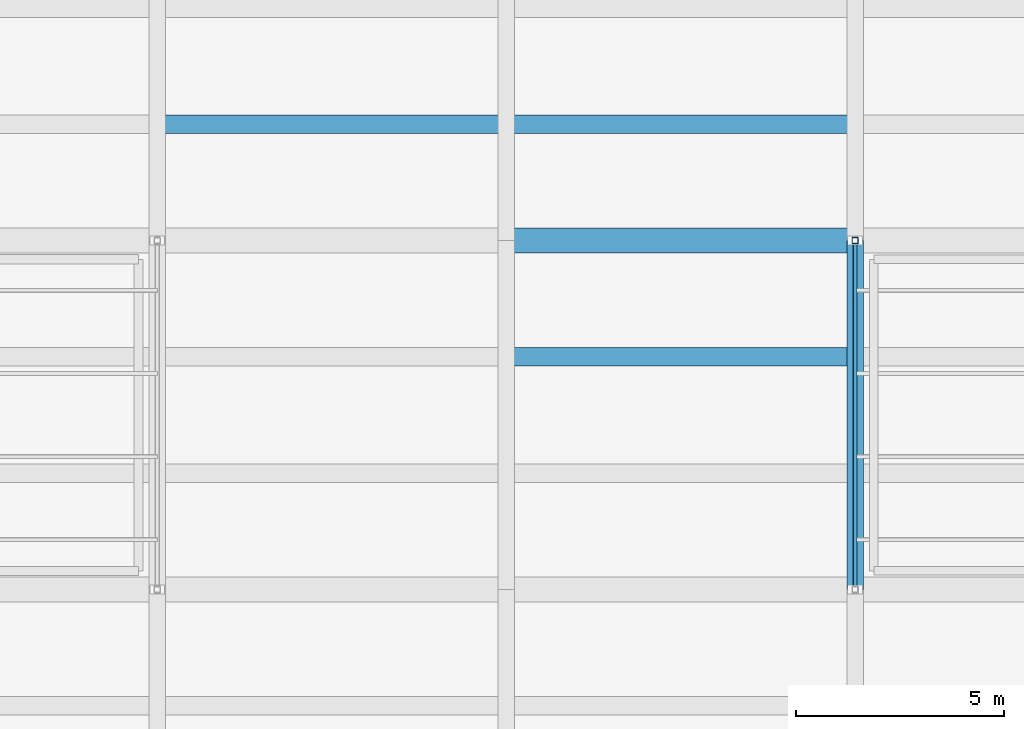
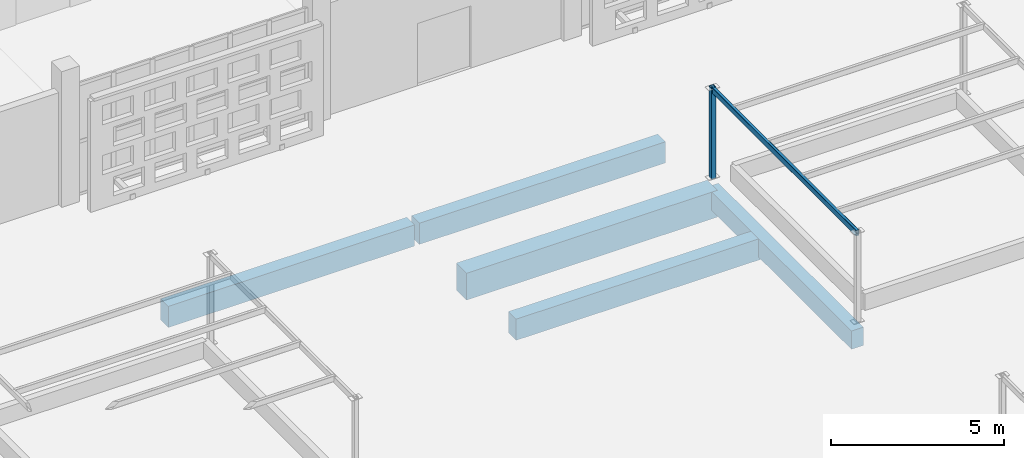
# One storey, part 27 of 129: 5 beams, 2 members.
"""IFC4 building model written with IfcOpenShell, lengths in metres."""

from ifc_helpers import new_model, si_unit, direction, frame, origin, origin_2d, place, context, subcontext, project, spatial, rectangle, hollow_rectangle, extrude, material, material_profile, profile_set, type_object, element, save


model = new_model("IFC4")

# Units and contexts
model_context = context("Model", 3, precision=1e-05, world=origin(), true_north=direction((0.0, 1.0)))
body_context = subcontext(model_context, "Body", "Model", "MODEL_VIEW")
ifc_project = project(units=[si_unit("LENGTHUNIT", "METRE"), si_unit("AREAUNIT", "SQUARE_METRE"), si_unit("VOLUMEUNIT", "CUBIC_METRE"), si_unit("PLANEANGLEUNIT", "RADIAN"), si_unit("MASSUNIT", "GRAM", prefix="KILO")], contexts=[model_context])

# Site, building, storey
site_placement = place(None, origin())
site = spatial("IfcSite", under=ifc_project, at=site_placement, CompositionType="ELEMENT")
building_placement = place(site_placement, origin())
building = spatial("IfcBuilding", under=site, at=building_placement, Name="Varnapada Polytechnic", CompositionType="ELEMENT")
storey_placement = place(building_placement, origin())
storey = spatial("IfcBuildingStorey", under=building, at=storey_placement, Name="L00", CompositionType="ELEMENT", Elevation=0.0)

# Beams
ifc_material_1 = material(Name="Concrete C40/50", Category="concrete")
ifc_material_profile_1 = material_profile(ifc_material_1, rectangle(XDim=0.449951171875, YDim=0.75, at=origin_2d()), Name="RC 450x750")
ifc_profile_set_1 = profile_set([ifc_material_profile_1], Name="Concrete C40/50")
beam_type_1 = type_object("IfcBeamType", Name="Basement/podium secondary beam BB-01 (RC 450x750)", PredefinedType="BEAM", material=ifc_profile_set_1)
for number, where, z_axis, x_axis, name in (
    (1, (75.679931640625, 78.39990234375, -0.655029296875), (1.0, 0.0, 0.0), (0.0, 1.0, 0.0), "L00 floor joist 10/10.1"),
    (2, (84.080078125, 72.800048828125, -0.655029296875), (1.0, 0.0, 0.0), (0.0, 1.0, 0.0), "L00 floor joist 11/9.2"),
    (3, (84.080078125, 78.39990234375, -0.655029296875), (1.0, 0.0, 0.0), (0.0, 1.0, 0.0), "L00 floor joist 11/10.1"),
):
    element("IfcBeam", number, at=place(storey_placement, frame(where, z_axis=z_axis, x_axis=x_axis)), inside=storey, type_object=beam_type_1, Name=name, PredefinedType="BEAM", context=body_context, shape_type="SweptSolid", body=[
        extrude(rectangle(XDim=0.449951171875, YDim=0.75, at=origin_2d()), origin(), (0.0, 0.0, 1.0), 8.239990234375),
    ])

# Member
ifc_material_2 = material(Name="Steel S355", Category="steel")
ifc_material_profile_2 = material_profile(ifc_material_2, hollow_rectangle(XDim=0.10009765625, YDim=0.199951171875, WallThickness=0.00634765625, InnerFilletRadius=0.006103515625, OuterFilletRadius=0.011962890625, at=origin_2d()), Name="RHS 200x100x6.3")
ifc_profile_set_2 = profile_set([ifc_material_profile_2], Name="Steel S355")
member_type_1 = type_object("IfcMemberType", Name="Gable and library roof steel purlin PR-01 (RHS 200x100x6.3)", PredefinedType="PURLIN", material=ifc_profile_set_2)
member_1_placement = place(storey_placement, frame((92.39990234375, 67.199951171875, 3.1201171875), z_axis=(0.0, 1.0, 0.0), x_axis=(-1.0, 0.0, 0.0)))
element("IfcMember", 4, at=member_1_placement, inside=storey, type_object=member_type_1, Name="Courtyard planted garden pergola girder CT-BED-5.1", PredefinedType="PURLIN", context=body_context, shape_type="SweptSolid", body=[
    extrude(hollow_rectangle(XDim=0.10009765625, YDim=0.199951171875, WallThickness=0.00634765625, InnerFilletRadius=0.006103515625, OuterFilletRadius=0.011962890625, at=origin_2d()), origin(), (0.0, 0.0, 1.0), 8.400146484375),
])

# Beam
ifc_material_profile_3 = material_profile(ifc_material_1, rectangle(XDim=0.39990234375, YDim=0.64990234375, at=origin_2d()), Name="RC 400x650")
ifc_profile_set_3 = profile_set([ifc_material_profile_3], Name="Concrete C40/50")
beam_type_2 = type_object("IfcBeamType", Name="Podium framing beam BB-02 (RC 400x650)", PredefinedType="BEAM", material=ifc_profile_set_3)
beam_1_placement = place(storey_placement, frame((92.39990234375, 67.199951171875, -0.60498046875), z_axis=(0.0, 1.0, 0.0), x_axis=(-1.0, 0.0, 0.0)))
element("IfcBeam", 5, at=beam_1_placement, inside=storey, type_object=beam_type_2, Name="L00 beam Y 9-10 at X12", PredefinedType="BEAM", context=body_context, shape_type="SweptSolid", body=[
    extrude(rectangle(XDim=0.39990234375, YDim=0.64990234375, at=origin_2d()), origin(), (0.0, 0.0, 1.0), 8.400146484375),
])

# Member
ifc_material_profile_4 = material_profile(ifc_material_2, hollow_rectangle(XDim=0.14990234375, YDim=0.14990234375, WallThickness=0.00634765625, InnerFilletRadius=0.006103515625, OuterFilletRadius=0.011962890625, at=origin_2d()), Name="SHS 150x150x6.3")
ifc_profile_set_4 = profile_set([ifc_material_profile_4], Name="Steel S355")
member_type_2 = type_object("IfcMemberType", Name="Sawtooth north-light mullion post SFP-02 (SHS 150x150x6.3)", PredefinedType="POST", material=ifc_profile_set_4)
member_2_placement = place(storey_placement, frame((92.39990234375, 75.60009765625, -0.02001953125), z_axis=(0.0, 0.0, 1.0), x_axis=(1.0, 0.0, 0.0)))
element("IfcMember", 6, at=member_2_placement, inside=storey, type_object=member_type_2, Name="Courtyard planted garden trellis post CT-BED-5.1.2", PredefinedType="POST", context=body_context, shape_type="SweptSolid", body=[
    extrude(hollow_rectangle(XDim=0.14990234375, YDim=0.14990234375, WallThickness=0.00634765625, InnerFilletRadius=0.006103515625, OuterFilletRadius=0.011962890625, at=origin_2d()), origin(), (0.0, 0.0, 1.0), 3.239990234375),
])

# Beam
ifc_material_profile_5 = material_profile(ifc_material_1, rectangle(XDim=0.60009765625, YDim=0.949951171875, at=origin_2d()), Name="RC 600x950")
ifc_profile_set_5 = profile_set([ifc_material_profile_5], Name="Concrete C40/50")
beam_type_3 = type_object("IfcBeamType", Name="Workshop podium heavy girder BG-03 (RC 600x950)", PredefinedType="T_BEAM", material=ifc_profile_set_5)
beam_2_placement = place(storey_placement, frame((84.0, 75.60009765625, -0.7548828125), z_axis=(1.0, 0.0, 0.0), x_axis=(0.0, 1.0, 0.0)))
element("IfcBeam", 7, at=beam_2_placement, inside=storey, type_object=beam_type_3, Name="L00 beam X 11-12 at Y10", PredefinedType="T_BEAM", context=body_context, shape_type="SweptSolid", body=[
    extrude(rectangle(XDim=0.60009765625, YDim=0.949951171875, at=origin_2d()), origin(), (0.0, 0.0, 1.0), 8.39990234375),
])

save(model, "model.ifc")
